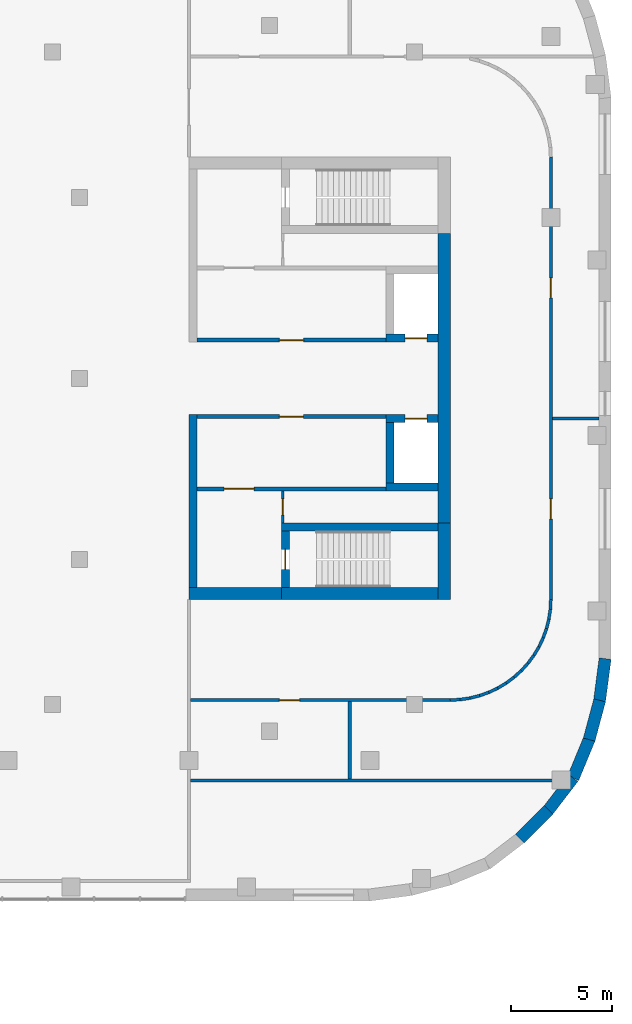
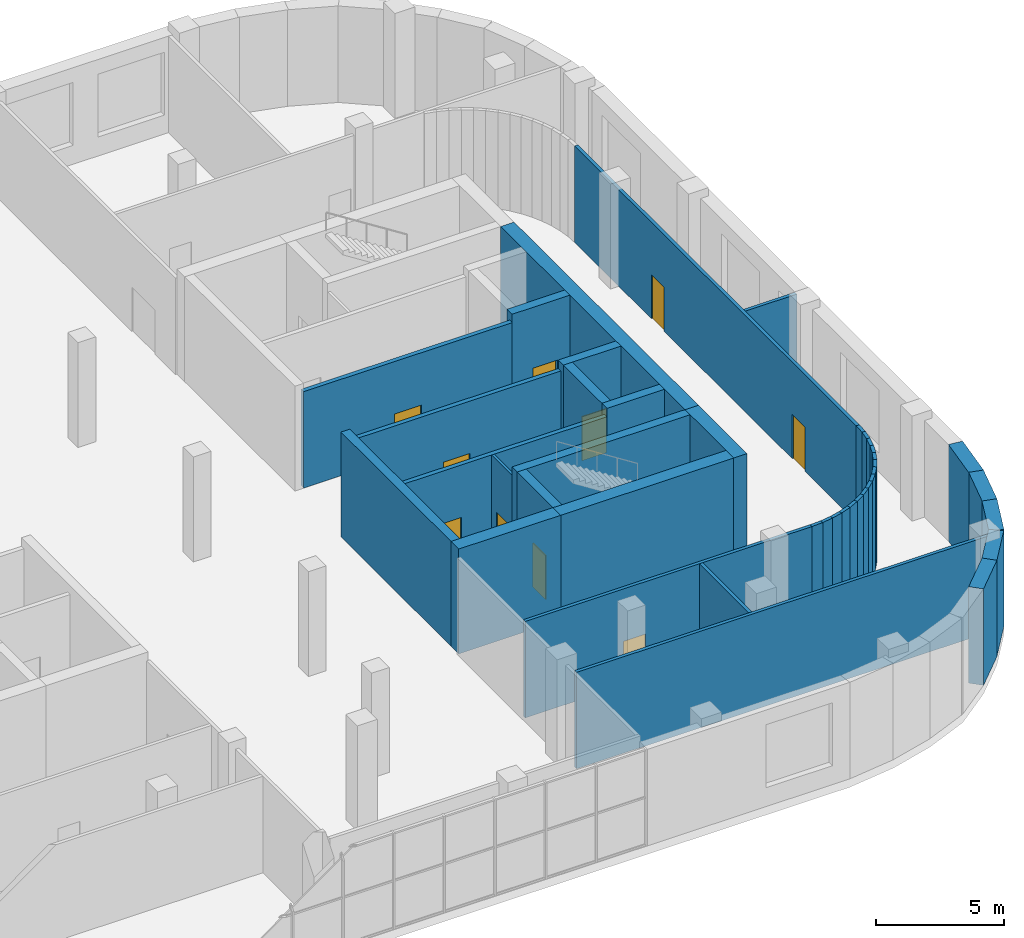
# One storey, part 19 of 24: 41 walls, 10 doors, 10 openings.
"""IFC4 building model written with IfcOpenShell, lengths in metres."""

from ifc_helpers import new_model, si_unit, direction, frame, frame_2d, origin, place, context, subcontext, project, spatial, rectangle, extrude, material, layer, layer_set, type_object, element, fill, save


model = new_model("IFC4")

# Units and contexts
model_context = context("Model", 3, precision=1e-05, world=origin(), true_north=direction((0.0, 1.0)))
body_context = subcontext(model_context, "Body", "Model", "MODEL_VIEW")
ifc_project = project(units=[si_unit("LENGTHUNIT", "METRE"), si_unit("AREAUNIT", "SQUARE_METRE"), si_unit("VOLUMEUNIT", "CUBIC_METRE"), si_unit("PLANEANGLEUNIT", "RADIAN"), si_unit("MASSUNIT", "GRAM", prefix="KILO")], contexts=[model_context])

# Site, building, storey
site_placement = place(None, origin())
site = spatial("IfcSite", under=ifc_project, at=site_placement, CompositionType="ELEMENT")
building_placement = place(site_placement, origin())
building = spatial("IfcBuilding", under=site, at=building_placement, Name="Skarvind Civic Tower", CompositionType="ELEMENT")
storey_placement = place(building_placement, frame((0.0, 0.0, 12.5)))
storey = spatial("IfcBuildingStorey", under=building, at=storey_placement, Name="L02", CompositionType="ELEMENT", Elevation=12.5)

# Wall, opening, door
ifc_material_1 = material(Name="Fire-rated masonry partition", Category="masonry")
ifc_layer_1 = layer(ifc_material_1, 0.199951171875)
ifc_layer_set_1 = layer_set([ifc_layer_1], Name="Core enclosure wall 200")
wall_type_1 = type_object("IfcWallType", Name="Core enclosure wall 200", PredefinedType="PARTITIONING", material=ifc_layer_set_1)
wall_1_placement = place(storey_placement, frame((163.800048828125, 126.10009765625, 0.0), z_axis=(0.0, 0.0, 1.0), x_axis=(-1.0, 0.0, 0.0)))
wall_1 = element("IfcWall", 1, at=wall_1_placement, inside=storey, type_object=wall_type_1, Name="Core wall CB", PredefinedType="PARTITIONING", context=body_context, shape_type="SweptSolid", body=[
    extrude(rectangle(XDim=9.400146484375, YDim=0.199951171875, at=frame_2d((4.7001953125, 0.0))), origin(), (0.0, 0.0, 1.0), 4.60009765625),
])
opening_1_placement = place(wall_1_placement, frame((4.10009765625, 0.0, 0.0)))
opening_1 = element("IfcOpeningElement", 2, at=opening_1_placement, cuts=wall_1, Name="Opening D-L02-CB-03", PredefinedType="OPENING", context=body_context, shape_type="SweptSolid", body=[
    extrude(rectangle(XDim=1.199951171875, YDim=2.10009765625, at=frame_2d((0.60009765625, 1.050048828125))), frame((0.0, 0.10986328125, 0.0), z_axis=(0.0, -1.0, 0.0), x_axis=(1.0, 0.0, 0.0)), (0.0, 0.0, 1.0), 0.219970703125),
])
ifc_material_2 = material(Name="Fire-rated steel door", Category="steel")
door_type_1 = type_object("IfcDoorType", Name="Core lobby door 1200", OperationType="NOTDEFINED", PredefinedType="DOOR", material=ifc_material_2)
door_1_placement = place(opening_1_placement, origin())
door_1 = element("IfcDoor", 3, at=door_1_placement, inside=storey, type_object=door_type_1, Name="Fire door", OperationType="DOUBLE_DOOR_SINGLE_SWING", OverallHeight=2.10009765625, OverallWidth=1.199951171875, PredefinedType="DOOR", context=body_context, shape_type="SweptSolid", body=[
    extrude(rectangle(XDim=1.199951171875, YDim=2.10009765625, at=frame_2d((0.60009765625, 1.050048828125))), frame((0.0, 0.02490234375, 0.0), z_axis=(0.0, -1.0, 0.0), x_axis=(1.0, 0.0, 0.0)), (0.0, 0.0, 1.0), 0.050048828125),
])
fill(opening_1, door_1)

wall_2_placement = place(storey_placement, frame((163.800048828125, 122.5, 0.0), z_axis=(0.0, 0.0, 1.0), x_axis=(-1.0, 0.0, 0.0)))
wall_2 = element("IfcWall", 4, at=wall_2_placement, inside=storey, type_object=wall_type_1, Name="Core wall CB", PredefinedType="PARTITIONING", context=body_context, shape_type="SweptSolid", body=[
    extrude(rectangle(XDim=9.400146484375, YDim=0.199951171875, at=frame_2d((4.7001953125, 0.0))), origin(), (0.0, 0.0, 1.0), 4.60009765625),
])
opening_2_placement = place(wall_2_placement, frame((6.550048828125, 0.0, 0.0)))
opening_2 = element("IfcOpeningElement", 5, at=opening_2_placement, cuts=wall_2, Name="Opening D-L02-CB-04", PredefinedType="OPENING", context=body_context, shape_type="SweptSolid", body=[
    extrude(rectangle(XDim=1.5, YDim=2.10009765625, at=frame_2d((0.75, 1.050048828125))), frame((0.0, 0.10986328125, 0.0), z_axis=(0.0, -1.0, 0.0), x_axis=(1.0, 0.0, 0.0)), (0.0, 0.0, 1.0), 0.219970703125),
])
door_type_2 = type_object("IfcDoorType", Name="Fire door 1500", OperationType="NOTDEFINED", PredefinedType="DOOR", material=ifc_material_2)
door_2_placement = place(opening_2_placement, origin())
door_2 = element("IfcDoor", 6, at=door_2_placement, inside=storey, type_object=door_type_2, Name="Fire door", OperationType="DOUBLE_DOOR_SINGLE_SWING", OverallHeight=2.10009765625, OverallWidth=1.5, PredefinedType="DOOR", context=body_context, shape_type="SweptSolid", body=[
    extrude(rectangle(XDim=1.5, YDim=2.10009765625, at=frame_2d((0.75, 1.050048828125))), frame((0.0, 0.02490234375, 0.0), z_axis=(0.0, -1.0, 0.0), x_axis=(1.0, 0.0, 0.0)), (0.0, 0.0, 1.0), 0.050048828125),
])
fill(opening_2, door_2)

wall_3_placement = place(storey_placement, frame((154.39990234375, 129.89990234375, 0.0), z_axis=(0.0, 0.0, 1.0), x_axis=(1.0, 0.0, 0.0)))
wall_3 = element("IfcWall", 7, at=wall_3_placement, inside=storey, type_object=wall_type_1, Name="Core wall CB", PredefinedType="PARTITIONING", context=body_context, shape_type="SweptSolid", body=[
    extrude(rectangle(XDim=9.400146484375, YDim=0.199951171875, at=frame_2d((4.7001953125, 0.0))), origin(), (0.0, 0.0, 1.0), 4.60009765625),
])
opening_3_placement = place(wall_3_placement, frame((4.10009765625, 0.0, 0.0)))
opening_3 = element("IfcOpeningElement", 8, at=opening_3_placement, cuts=wall_3, Name="Opening D-L02-CB-07", PredefinedType="OPENING", context=body_context, shape_type="SweptSolid", body=[
    extrude(rectangle(XDim=1.199951171875, YDim=2.10009765625, at=frame_2d((0.60009765625, 1.050048828125))), frame((0.0, 0.10986328125, 0.0), z_axis=(0.0, -1.0, 0.0), x_axis=(1.0, 0.0, 0.0)), (0.0, 0.0, 1.0), 0.219970703125),
])
door_3_placement = place(opening_3_placement, origin())
door_3 = element("IfcDoor", 9, at=door_3_placement, inside=storey, type_object=door_type_1, Name="Fire door", OperationType="DOUBLE_DOOR_SINGLE_SWING", OverallHeight=2.10009765625, OverallWidth=1.199951171875, PredefinedType="DOOR", context=body_context, shape_type="SweptSolid", body=[
    extrude(rectangle(XDim=1.199951171875, YDim=2.10009765625, at=frame_2d((0.60009765625, 1.050048828125))), frame((0.0, 0.02490234375, 0.0), z_axis=(0.0, -1.0, 0.0), x_axis=(1.0, 0.0, 0.0)), (0.0, 0.0, 1.0), 0.050048828125),
])
fill(opening_3, door_3)

# Wall
ifc_material_3 = material(Name="Concrete C80", Category="concrete")
ifc_layer_2 = layer(ifc_material_3, 0.39990234375)
ifc_layer_set_2 = layer_set([ifc_layer_2], Name="Core wall 400 C80")
wall_type_2 = type_object("IfcWallType", Name="Core wall 400 C80", PredefinedType="SHEAR", material=ifc_layer_set_2)
wall_4_placement = place(storey_placement, frame((166.39990234375, 120.60009765625, 0.0), z_axis=(0.0, 0.0, 1.0), x_axis=(-1.0, 0.0, 0.0)))
element("IfcWall", 10, at=wall_4_placement, inside=storey, type_object=wall_type_2, Name="Core wall CB north stair inner L02", PredefinedType="SHEAR", context=body_context, shape_type="SweptSolid", body=[
    extrude(rectangle(XDim=7.7998046875, YDim=0.39990234375, at=frame_2d((3.89990234375, 0.0))), origin(), (0.0, 0.0, 1.0), 5.0),
])

# Wall, opening, door
wall_5_placement = place(storey_placement, frame((158.800048828125, 120.39990234375, 0.0), z_axis=(0.0, 0.0, 1.0), x_axis=(0.0, -1.0, 0.0)))
wall_5 = element("IfcWall", 11, at=wall_5_placement, inside=storey, type_object=wall_type_2, Name="Core wall CB north stair end L02", PredefinedType="SHEAR", context=body_context, shape_type="SweptSolid", body=[
    extrude(rectangle(XDim=2.7998046875, YDim=0.39990234375, at=frame_2d((1.39990234375, 0.0))), origin(), (0.0, 0.0, 1.0), 5.0),
])
opening_4_placement = place(wall_5_placement, frame((0.89990234375, 0.0, 0.0)))
opening_4 = element("IfcOpeningElement", 12, at=opening_4_placement, cuts=wall_5, Name="Opening D-L02-CB-05", PredefinedType="OPENING", context=body_context, shape_type="SweptSolid", body=[
    extrude(rectangle(XDim=1.0, YDim=2.10009765625, at=frame_2d((0.5, 1.050048828125))), frame((0.0, 0.2099609375, 0.0), z_axis=(0.0, -1.0, 0.0), x_axis=(1.0, 0.0, 0.0)), (0.0, 0.0, 1.0), 0.419921875),
])
door_type_3 = type_object("IfcDoorType", Name="Fire door 1000", OperationType="NOTDEFINED", PredefinedType="DOOR", material=ifc_material_2)
door_4_placement = place(opening_4_placement, origin())
door_4 = element("IfcDoor", 13, at=door_4_placement, inside=storey, type_object=door_type_3, Name="Fire door", OperationType="SINGLE_SWING_LEFT", OverallHeight=2.10009765625, OverallWidth=1.0, PredefinedType="DOOR", context=body_context, shape_type="SweptSolid", body=[
    extrude(rectangle(XDim=1.0, YDim=2.10009765625, at=frame_2d((0.5, 1.050048828125))), frame((0.0, 0.02490234375, 0.0), z_axis=(0.0, -1.0, 0.0), x_axis=(1.0, 0.0, 0.0)), (0.0, 0.0, 1.0), 0.050048828125),
])
fill(opening_4, door_4)

wall_6_placement = place(storey_placement, frame((166.39990234375, 130.0, 0.0), z_axis=(0.0, 0.0, 1.0), x_axis=(-1.0, 0.0, 0.0)))
wall_6 = element("IfcWall", 14, at=wall_6_placement, inside=storey, type_object=wall_type_2, Name="Core wall CB south lift row front L02", PredefinedType="SHEAR", context=body_context, shape_type="SweptSolid", body=[
    extrude(rectangle(XDim=2.599853515625, YDim=0.39990234375, at=frame_2d((1.2998046875, 0.0))), origin(), (0.0, 0.0, 1.0), 5.0),
])
opening_5_placement = place(wall_6_placement, frame((0.550048828125, 0.0, 0.0)))
opening_5 = element("IfcOpeningElement", 15, at=opening_5_placement, cuts=wall_6, Name="Opening LD04402", PredefinedType="OPENING", context=body_context, shape_type="SweptSolid", body=[
    extrude(rectangle(XDim=1.10009765625, YDim=2.10009765625, at=frame_2d((0.550048828125, 1.050048828125))), frame((0.0, 0.2099609375, 0.0), z_axis=(0.0, -1.0, 0.0), x_axis=(1.0, 0.0, 0.0)), (0.0, 0.0, 1.0), 0.419921875),
])
ifc_material_4 = material(Name="Stainless steel landing door", Category="steel")
door_type_4 = type_object("IfcDoorType", Name="Lift landing door 1100", OperationType="DOUBLE_DOOR_SLIDING", PredefinedType="DOOR", material=ifc_material_4)
door_5_placement = place(opening_5_placement, origin())
door_5 = element("IfcDoor", 16, at=door_5_placement, inside=storey, type_object=door_type_4, Name="Lift landing door", OperationType="DOUBLE_DOOR_SLIDING", OverallHeight=2.10009765625, OverallWidth=1.10009765625, PredefinedType="DOOR", context=body_context, shape_type="SweptSolid", body=[
    extrude(rectangle(XDim=1.10009765625, YDim=2.10009765625, at=frame_2d((0.550048828125, 1.050048828125))), frame((0.0, 0.02490234375, 0.0), z_axis=(0.0, -1.0, 0.0), x_axis=(1.0, 0.0, 0.0)), (0.0, 0.0, 1.0), 0.050048828125),
])
fill(opening_5, door_5)

wall_7_placement = place(storey_placement, frame((166.39990234375, 126.0, 0.0), z_axis=(0.0, 0.0, 1.0), x_axis=(-1.0, 0.0, 0.0)))
wall_7 = element("IfcWall", 17, at=wall_7_placement, inside=storey, type_object=wall_type_2, Name="Core wall CB north lift row front L02", PredefinedType="SHEAR", context=body_context, shape_type="SweptSolid", body=[
    extrude(rectangle(XDim=2.599853515625, YDim=0.39990234375, at=frame_2d((1.2998046875, 0.0))), origin(), (0.0, 0.0, 1.0), 5.0),
])
opening_6_placement = place(wall_7_placement, frame((0.550048828125, 0.0, 0.0)))
opening_6 = element("IfcOpeningElement", 18, at=opening_6_placement, cuts=wall_7, Name="Opening LD04401", PredefinedType="OPENING", context=body_context, shape_type="SweptSolid", body=[
    extrude(rectangle(XDim=1.10009765625, YDim=2.10009765625, at=frame_2d((0.550048828125, 1.050048828125))), frame((0.0, 0.2099609375, 0.0), z_axis=(0.0, -1.0, 0.0), x_axis=(1.0, 0.0, 0.0)), (0.0, 0.0, 1.0), 0.419921875),
])
door_6_placement = place(opening_6_placement, origin())
door_6 = element("IfcDoor", 19, at=door_6_placement, inside=storey, type_object=door_type_4, Name="Lift landing door", OperationType="DOUBLE_DOOR_SLIDING", OverallHeight=2.10009765625, OverallWidth=1.10009765625, PredefinedType="DOOR", context=body_context, shape_type="SweptSolid", body=[
    extrude(rectangle(XDim=1.10009765625, YDim=2.10009765625, at=frame_2d((0.550048828125, 1.050048828125))), frame((0.0, 0.02490234375, 0.0), z_axis=(0.0, -1.0, 0.0), x_axis=(1.0, 0.0, 0.0)), (0.0, 0.0, 1.0), 0.050048828125),
])
fill(opening_6, door_6)

# Walls
wall_8_placement = place(storey_placement, frame((166.39990234375, 122.60009765625, 0.0), z_axis=(0.0, 0.0, 1.0), x_axis=(-1.0, 0.0, 0.0)))
element("IfcWall", 20, at=wall_8_placement, inside=storey, type_object=wall_type_2, Name="Core wall CB north lift row back L02", PredefinedType="SHEAR", context=body_context, shape_type="SweptSolid", body=[
    extrude(rectangle(XDim=2.599853515625, YDim=0.39990234375, at=frame_2d((1.2998046875, 0.0))), origin(), (0.0, 0.0, 1.0), 5.0),
])
wall_9_placement = place(storey_placement, frame((164.0, 125.800048828125, 0.0), z_axis=(0.0, 0.0, 1.0), x_axis=(0.0, -1.0, 0.0)))
element("IfcWall", 21, at=wall_9_placement, inside=storey, type_object=wall_type_2, Name="Core wall CB north lift row division 1 L02", PredefinedType="SHEAR", context=body_context, shape_type="SweptSolid", body=[
    extrude(rectangle(XDim=3.0, YDim=0.39990234375, at=frame_2d((1.5, 0.0))), origin(), (0.0, 0.0, 1.0), 5.0),
])
wall_10_placement = place(storey_placement, frame((154.199951171875, 126.199951171875, 0.0), z_axis=(0.0, 0.0, 1.0), x_axis=(0.0, -1.0, 0.0)))
element("IfcWall", 22, at=wall_10_placement, inside=storey, type_object=wall_type_2, Name="Core wall CB north inner face L02", PredefinedType="SHEAR", context=body_context, shape_type="SweptSolid", body=[
    extrude(rectangle(XDim=8.599853515625, YDim=0.39990234375, at=frame_2d((4.2998046875, 0.0))), origin(), (0.0, 0.0, 1.0), 5.0),
])
ifc_layer_3 = layer(ifc_material_3, 0.60009765625)
ifc_layer_set_3 = layer_set([ifc_layer_3], Name="Core wall 600 C80")
wall_type_3 = type_object("IfcWallType", Name="Core wall 600 C80", PredefinedType="SHEAR", material=ifc_layer_set_3)
wall_11_placement = place(storey_placement, frame((166.699951171875, 135.199951171875, 0.0), z_axis=(0.0, 0.0, 1.0), x_axis=(0.0, -1.0, 0.0)))
element("IfcWall", 23, at=wall_11_placement, inside=storey, type_object=wall_type_3, Name="Core wall CB tip between the stairs L02", PredefinedType="SHEAR", context=body_context, shape_type="SweptSolid", body=[
    extrude(rectangle(XDim=14.39990234375, YDim=0.60009765625, at=frame_2d((7.199951171875, 0.0))), origin(), (0.0, 0.0, 1.0), 5.0),
])
wall_12_placement = place(storey_placement, frame((166.699951171875, 120.800048828125, 0.0), z_axis=(0.0, 0.0, 1.0), x_axis=(0.0, -1.0, 0.0)))
element("IfcWall", 24, at=wall_12_placement, inside=storey, type_object=wall_type_3, Name="Core wall CB tip at the north stair L02", PredefinedType="SHEAR", context=body_context, shape_type="SweptSolid", body=[
    extrude(rectangle(XDim=3.800048828125, YDim=0.60009765625, at=frame_2d((1.89990234375, 0.0))), origin(), (0.0, 0.0, 1.0), 5.0),
])
wall_13_placement = place(storey_placement, frame((166.39990234375, 117.300048828125, 0.0), z_axis=(0.0, 0.0, 1.0), x_axis=(-1.0, 0.0, 0.0)))
element("IfcWall", 25, at=wall_13_placement, inside=storey, type_object=wall_type_3, Name="Core wall CB north side at the stair L02", PredefinedType="SHEAR", context=body_context, shape_type="SweptSolid", body=[
    extrude(rectangle(XDim=7.7998046875, YDim=0.60009765625, at=frame_2d((3.89990234375, 0.0))), origin(), (0.0, 0.0, 1.0), 5.0),
])
wall_14_placement = place(storey_placement, frame((158.60009765625, 117.300048828125, 0.0), z_axis=(0.0, 0.0, 1.0), x_axis=(-1.0, 0.0, 0.0)))
element("IfcWall", 26, at=wall_14_placement, inside=storey, type_object=wall_type_3, Name="Core wall CB north side L02", PredefinedType="SHEAR", context=body_context, shape_type="SweptSolid", body=[
    extrude(rectangle(XDim=4.60009765625, YDim=0.60009765625, at=frame_2d((2.300048828125, 0.0))), origin(), (0.0, 0.0, 1.0), 5.0),
])
ifc_material_5 = material(Name="Plasterboard partition on steel studs", Category="steel")
ifc_layer_4 = layer(ifc_material_5, 0.14990234375)
ifc_layer_set_4 = layer_set([ifc_layer_4], Name="PARTITION 150")
wall_type_4 = type_object("IfcWallType", Name="PARTITION 150", PredefinedType="PARTITIONING", material=ifc_layer_set_4)
wall_15_placement = place(storey_placement, frame((154.074951171875, 108.0, 0.0), z_axis=(0.0, 0.0, 1.0), x_axis=(1.0, 0.0, 0.0)))
element("IfcWall", 27, at=wall_15_placement, inside=storey, type_object=wall_type_4, Name="Podium partition L02 270", PredefinedType="PARTITIONING", context=body_context, shape_type="SweptSolid", body=[
    extrude(rectangle(XDim=18.55712890625, YDim=0.14990234375, at=frame_2d((9.278564453125, 0.0))), origin(), (0.0, 0.0, 1.0), 4.60009765625),
])

# Wall, opening, door
wall_16_placement = place(storey_placement, frame((167.001953125, 112.0, 0.0), z_axis=(0.0, 0.0, 1.0), x_axis=(-1.0, 0.0, 0.0)))
wall_16 = element("IfcWall", 28, at=wall_16_placement, inside=storey, type_object=wall_type_4, Name="Podium partition L02 271", PredefinedType="PARTITIONING", context=body_context, shape_type="SweptSolid", body=[
    extrude(rectangle(XDim=12.927001953125, YDim=0.14990234375, at=frame_2d((6.46337890625, 0.0))), origin(), (0.0, 0.0, 1.0), 4.60009765625),
])
opening_7_placement = place(wall_16_placement, frame((7.5, 0.0, 0.0)))
opening_7 = element("IfcOpeningElement", 29, at=opening_7_placement, cuts=wall_16, Name="Opening L02-D238", PredefinedType="OPENING", context=body_context, shape_type="SweptSolid", body=[
    extrude(rectangle(XDim=1.0, YDim=2.10009765625, at=frame_2d((0.5, 1.050048828125))), frame((0.0, 0.0849609375, 0.0), z_axis=(0.0, -1.0, 0.0), x_axis=(1.0, 0.0, 0.0)), (0.0, 0.0, 1.0), 0.169921875),
])
ifc_material_6 = material(Name="Timber veneer door leaf", Category="wood")
door_type_5 = type_object("IfcDoorType", Name="DOOR 1000X2100 TIMBER", OperationType="NOTDEFINED", PredefinedType="DOOR", material=ifc_material_6)
door_7_placement = place(opening_7_placement, origin())
door_7 = element("IfcDoor", 30, at=door_7_placement, inside=storey, type_object=door_type_5, Name="DOOR DOOR", OperationType="SINGLE_SWING_LEFT", OverallHeight=2.10009765625, OverallWidth=1.0, PredefinedType="DOOR", context=body_context, shape_type="SweptSolid", body=[
    extrude(rectangle(XDim=1.0, YDim=2.10009765625, at=frame_2d((0.5, 1.050048828125))), frame((0.0, 0.02490234375, 0.0), z_axis=(0.0, -1.0, 0.0), x_axis=(1.0, 0.0, 0.0)), (0.0, 0.0, 1.0), 0.050048828125),
])
fill(opening_7, door_7)

# Walls
wall_17_placement = place(storey_placement, frame((162.0, 108.074951171875, 0.0), z_axis=(0.0, 0.0, 1.0), x_axis=(0.0, 1.0, 0.0)))
element("IfcWall", 31, at=wall_17_placement, inside=storey, type_object=wall_type_4, Name="Podium partition L02 274", PredefinedType="PARTITIONING", context=body_context, shape_type="SweptSolid", body=[
    extrude(rectangle(XDim=3.85009765625, YDim=0.14990234375, at=frame_2d((1.925048828125, 0.0))), origin(), (0.0, 0.0, 1.0), 4.60009765625),
])
wall_18_placement = place(storey_placement, frame((166.998046875, 112.0, 0.0), z_axis=(0.0, 0.0, 1.0), x_axis=(0.998837896651, 0.048196018647, 0.0)))
element("IfcWall", 32, at=wall_18_placement, inside=storey, type_object=wall_type_4, Name="Podium partition L02 276", PredefinedType="PARTITIONING", context=body_context, shape_type="SweptSolid", body=[
    extrude(rectangle(XDim=0.496337890625, YDim=0.14990234375, at=frame_2d((0.248046875, 0.0))), origin(), (0.0, 0.0, 1.0), 4.60009765625),
])
wall_19_placement = place(storey_placement, frame((167.486083984375, 112.02294921875, 0.0), z_axis=(0.0, 0.0, 1.0), x_axis=(0.988925572052, 0.148412307247, 0.0)))
element("IfcWall", 33, at=wall_19_placement, inside=storey, type_object=wall_type_4, Name="Podium partition L02 279", PredefinedType="PARTITIONING", context=body_context, shape_type="SweptSolid", body=[
    extrude(rectangle(XDim=0.49853515625, YDim=0.14990234375, at=frame_2d((0.249267578125, 0.0))), origin(), (0.0, 0.0, 1.0), 4.60009765625),
])
wall_20_placement = place(storey_placement, frame((167.970947265625, 112.094970703125, 0.0), z_axis=(0.0, 0.0, 1.0), x_axis=(0.970113715952, 0.242650732785, 0.0)))
element("IfcWall", 34, at=wall_20_placement, inside=storey, type_object=wall_type_4, Name="Podium partition L02 281", PredefinedType="PARTITIONING", context=body_context, shape_type="SweptSolid", body=[
    extrude(rectangle(XDim=0.4990234375, YDim=0.14990234375, at=frame_2d((0.24951171875, 0.0))), origin(), (0.0, 0.0, 1.0), 4.60009765625),
])
for number, where, z_axis, x_axis, name in (
    (35, (168.447021484375, 112.214111328125, 0.0), (0.0, 0.0, 1.0), (0.941442168887, 0.3371744988, 0.0), "Podium partition L02 283"),
    (36, (168.909912109375, 112.37890625, 0.0), (0.0, 0.0, 1.0), (0.903827641978, 0.427896709028, 0.0), "Podium partition L02 285"),
):
    element("IfcWall", number, at=place(storey_placement, frame(where, z_axis=z_axis, x_axis=x_axis)), inside=storey, type_object=wall_type_4, Name=name, PredefinedType="PARTITIONING", context=body_context, shape_type="SweptSolid", body=[
        extrude(rectangle(XDim=0.498046875, YDim=0.14990234375, at=frame_2d((0.2490234375, 0.0))), origin(), (0.0, 0.0, 1.0), 4.60009765625),
    ])
wall_21_placement = place(storey_placement, frame((169.35400390625, 112.587890625, 0.0), z_axis=(0.0, 0.0, 1.0), x_axis=(0.85671397893, 0.515791778052, 0.0)))
element("IfcWall", 37, at=wall_21_placement, inside=storey, type_object=wall_type_4, Name="Podium partition L02 287", PredefinedType="PARTITIONING", context=body_context, shape_type="SweptSolid", body=[
    extrude(rectangle(XDim=0.49853515625, YDim=0.14990234375, at=frame_2d((0.249267578125, 0.0))), origin(), (0.0, 0.0, 1.0), 4.60009765625),
])
wall_22_placement = place(storey_placement, frame((169.77490234375, 112.841064453125, 0.0), z_axis=(0.0, 0.0, 1.0), x_axis=(0.80404358372, 0.594570362092, 0.0)))
element("IfcWall", 38, at=wall_22_placement, inside=storey, type_object=wall_type_4, Name="Podium partition L02 289", PredefinedType="PARTITIONING", context=body_context, shape_type="SweptSolid", body=[
    extrude(rectangle(XDim=0.49755859375, YDim=0.14990234375, at=frame_2d((0.248779296875, 0.0))), origin(), (0.0, 0.0, 1.0), 4.60009765625),
])
for number, where, z_axis, x_axis, name in (
    (39, (170.1689453125, 113.133056640625, 0.0), (0.0, 0.0, 1.0), (0.742416880587, 0.66993818776, 0.0), "Podium partition L02 291"),
    (40, (170.532958984375, 113.4609375, 0.0), (0.0, 0.0, 1.0), (0.66993818776, 0.742416880587, 0.0), "Podium partition L02 293"),
):
    element("IfcWall", number, at=place(storey_placement, frame(where, z_axis=z_axis, x_axis=x_axis)), inside=storey, type_object=wall_type_4, Name=name, PredefinedType="PARTITIONING", context=body_context, shape_type="SweptSolid", body=[
        extrude(rectangle(XDim=0.49853515625, YDim=0.14990234375, at=frame_2d((0.249267578125, 0.0))), origin(), (0.0, 0.0, 1.0), 4.60009765625),
    ])
wall_23_placement = place(storey_placement, frame((170.863037109375, 113.824951171875, 0.0), z_axis=(0.0, 0.0, 1.0), x_axis=(0.594570362092, 0.80404358372, 0.0)))
element("IfcWall", 41, at=wall_23_placement, inside=storey, type_object=wall_type_4, Name="Podium partition L02 295", PredefinedType="PARTITIONING", context=body_context, shape_type="SweptSolid", body=[
    extrude(rectangle(XDim=0.49755859375, YDim=0.14990234375, at=frame_2d((0.248779296875, 0.0))), origin(), (0.0, 0.0, 1.0), 4.60009765625),
])
wall_24_placement = place(storey_placement, frame((171.155029296875, 114.218994140625, 0.0), z_axis=(0.0, 0.0, 1.0), x_axis=(0.515791778052, 0.85671397893, 0.0)))
element("IfcWall", 42, at=wall_24_placement, inside=storey, type_object=wall_type_4, Name="Podium partition L02 297", PredefinedType="PARTITIONING", context=body_context, shape_type="SweptSolid", body=[
    extrude(rectangle(XDim=0.49853515625, YDim=0.14990234375, at=frame_2d((0.249267578125, 0.0))), origin(), (0.0, 0.0, 1.0), 4.60009765625),
])
for number, where, z_axis, x_axis, name in (
    (43, (171.407958984375, 114.639892578125, 0.0), (0.0, 0.0, 1.0), (0.427896709028, 0.903827641978, 0.0), "Podium partition L02 299"),
    (44, (171.617919921875, 115.083984375, 0.0), (0.0, 0.0, 1.0), (0.3371744988, 0.941442168887, 0.0), "Podium partition L02 301"),
):
    element("IfcWall", number, at=place(storey_placement, frame(where, z_axis=z_axis, x_axis=x_axis)), inside=storey, type_object=wall_type_4, Name=name, PredefinedType="PARTITIONING", context=body_context, shape_type="SweptSolid", body=[
        extrude(rectangle(XDim=0.498046875, YDim=0.14990234375, at=frame_2d((0.2490234375, 0.0))), origin(), (0.0, 0.0, 1.0), 4.60009765625),
    ])
wall_25_placement = place(storey_placement, frame((171.783935546875, 115.544921875, 0.0), z_axis=(0.0, 0.0, 1.0), x_axis=(0.242650732785, 0.970113715952, 0.0)))
element("IfcWall", 45, at=wall_25_placement, inside=storey, type_object=wall_type_4, Name="Podium partition L02 303", PredefinedType="PARTITIONING", context=body_context, shape_type="SweptSolid", body=[
    extrude(rectangle(XDim=0.4990234375, YDim=0.14990234375, at=frame_2d((0.24951171875, 0.0))), origin(), (0.0, 0.0, 1.0), 4.60009765625),
])
wall_26_placement = place(storey_placement, frame((171.903076171875, 116.02099609375, 0.0), z_axis=(0.0, 0.0, 1.0), x_axis=(0.148412307247, 0.988925572052, 0.0)))
element("IfcWall", 46, at=wall_26_placement, inside=storey, type_object=wall_type_4, Name="Podium partition L02 305", PredefinedType="PARTITIONING", context=body_context, shape_type="SweptSolid", body=[
    extrude(rectangle(XDim=0.49853515625, YDim=0.14990234375, at=frame_2d((0.249267578125, 0.0))), origin(), (0.0, 0.0, 1.0), 4.60009765625),
])
wall_27_placement = place(storey_placement, frame((171.97607421875, 116.506103515625, 0.0), z_axis=(0.0, 0.0, 1.0), x_axis=(0.048196018647, 0.998837896651, 0.0)))
element("IfcWall", 47, at=wall_27_placement, inside=storey, type_object=wall_type_4, Name="Podium partition L02 307", PredefinedType="PARTITIONING", context=body_context, shape_type="SweptSolid", body=[
    extrude(rectangle(XDim=0.496337890625, YDim=0.14990234375, at=frame_2d((0.248046875, 0.0))), origin(), (0.0, 0.0, 1.0), 4.60009765625),
])

# Wall, openings, doors
wall_28_placement = place(storey_placement, frame((172.0, 139.001953125, 0.0), z_axis=(0.0, 0.0, 1.0), x_axis=(0.0, -1.0, 0.0)))
wall_28 = element("IfcWall", 48, at=wall_28_placement, inside=storey, type_object=wall_type_4, Name="Podium partition L02 309", PredefinedType="PARTITIONING", context=body_context, shape_type="SweptSolid", body=[
    extrude(rectangle(XDim=22.00390625, YDim=0.14990234375, at=frame_2d((11.001953125, 0.0))), origin(), (0.0, 0.0, 1.0), 4.60009765625),
])
opening_8_placement = place(wall_28_placement, frame((17.0, 0.0, 0.0)))
opening_8 = element("IfcOpeningElement", 49, at=opening_8_placement, cuts=wall_28, Name="Opening L02-D240", PredefinedType="OPENING", context=body_context, shape_type="SweptSolid", body=[
    extrude(rectangle(XDim=1.0, YDim=2.10009765625, at=frame_2d((0.5, 1.050048828125))), frame((0.0, 0.0849609375, 0.0), z_axis=(0.0, -1.0, 0.0), x_axis=(1.0, 0.0, 0.0)), (0.0, 0.0, 1.0), 0.169921875),
])
opening_9_placement = place(wall_28_placement, frame((6.00390625, 0.0, 0.0)))
opening_9 = element("IfcOpeningElement", 50, at=opening_9_placement, cuts=wall_28, Name="Opening L02-D241", PredefinedType="OPENING", context=body_context, shape_type="SweptSolid", body=[
    extrude(rectangle(XDim=1.0, YDim=2.10009765625, at=frame_2d((0.5, 1.050048828125))), frame((0.0, 0.0849609375, 0.0), z_axis=(0.0, -1.0, 0.0), x_axis=(1.0, 0.0, 0.0)), (0.0, 0.0, 1.0), 0.169921875),
])
door_8_placement = place(opening_8_placement, origin())
door_8 = element("IfcDoor", 51, at=door_8_placement, inside=storey, type_object=door_type_5, Name="DOOR DOOR", OperationType="SINGLE_SWING_LEFT", OverallHeight=2.10009765625, OverallWidth=1.0, PredefinedType="DOOR", context=body_context, shape_type="SweptSolid", body=[
    extrude(rectangle(XDim=1.0, YDim=2.10009765625, at=frame_2d((0.5, 1.050048828125))), frame((0.0, 0.02490234375, 0.0), z_axis=(0.0, -1.0, 0.0), x_axis=(1.0, 0.0, 0.0)), (0.0, 0.0, 1.0), 0.050048828125),
])
fill(opening_8, door_8)
door_9_placement = place(opening_9_placement, origin())
door_9 = element("IfcDoor", 52, at=door_9_placement, inside=storey, type_object=door_type_5, Name="DOOR DOOR", OperationType="SINGLE_SWING_RIGHT", OverallHeight=2.10009765625, OverallWidth=1.0, PredefinedType="DOOR", context=body_context, shape_type="SweptSolid", body=[
    extrude(rectangle(XDim=1.0, YDim=2.10009765625, at=frame_2d((0.5, 1.050048828125))), frame((0.0, 0.02490234375, 0.0), z_axis=(0.0, -1.0, 0.0), x_axis=(1.0, 0.0, 0.0)), (0.0, 0.0, 1.0), 0.050048828125),
])
fill(opening_9, door_9)

# Wall
wall_29_placement = place(storey_placement, frame((172.074951171875, 126.0, 0.0), z_axis=(0.0, 0.0, 1.0), x_axis=(1.0, 0.0, 0.0)))
element("IfcWall", 53, at=wall_29_placement, inside=storey, type_object=wall_type_4, Name="Podium partition L02 310", PredefinedType="PARTITIONING", context=body_context, shape_type="SweptSolid", body=[
    extrude(rectangle(XDim=2.324951171875, YDim=0.14990234375, at=frame_2d((1.16259765625, 0.0))), origin(), (0.0, 0.0, 1.0), 4.60009765625),
])

# Wall, opening, door
ifc_layer_5 = layer(ifc_material_1, 0.125)
ifc_layer_set_5 = layer_set([ifc_layer_5], Name="Riser wall 125")
wall_type_5 = type_object("IfcWallType", Name="Riser wall 125", PredefinedType="PARTITIONING", material=ifc_layer_set_5)
wall_30_placement = place(storey_placement, frame((158.66259765625, 120.800048828125, 0.0), z_axis=(0.0, 0.0, 1.0), x_axis=(0.0, 1.0, 0.0)))
wall_30 = element("IfcWall", 54, at=wall_30_placement, inside=storey, type_object=wall_type_5, Name="Core wall CB", PredefinedType="PARTITIONING", context=body_context, shape_type="SweptSolid", body=[
    extrude(rectangle(XDim=1.599853515625, YDim=0.125, at=frame_2d((0.7998046875, 0.0))), origin(), (0.0, 0.0, 1.0), 4.60009765625),
])
opening_10_placement = place(wall_30_placement, frame((0.39990234375, 0.0, 0.0)))
opening_10 = element("IfcOpeningElement", 55, at=opening_10_placement, cuts=wall_30, Name="Opening D-L02-CB-06", PredefinedType="OPENING", context=body_context, shape_type="SweptSolid", body=[
    extrude(rectangle(XDim=0.800048828125, YDim=2.10009765625, at=frame_2d((0.39990234375, 1.050048828125))), frame((0.0, 0.072509765625, 0.0), z_axis=(0.0, -1.0, 0.0), x_axis=(1.0, 0.0, 0.0)), (0.0, 0.0, 1.0), 0.14501953125),
])
door_type_6 = type_object("IfcDoorType", Name="Core riser door 800", OperationType="NOTDEFINED", PredefinedType="DOOR", material=ifc_material_2)
door_10_placement = place(opening_10_placement, origin())
door_10 = element("IfcDoor", 56, at=door_10_placement, inside=storey, type_object=door_type_6, Name="Riser door", OperationType="SINGLE_SWING_RIGHT", OverallHeight=2.10009765625, OverallWidth=0.800048828125, PredefinedType="DOOR", context=body_context, shape_type="SweptSolid", body=[
    extrude(rectangle(XDim=0.800048828125, YDim=2.10009765625, at=frame_2d((0.39990234375, 1.050048828125))), frame((0.0, 0.02490234375, 0.0), z_axis=(0.0, -1.0, 0.0), x_axis=(1.0, 0.0, 0.0)), (0.0, 0.0, 1.0), 0.050048828125),
])
fill(opening_10, door_10)

# Walls
ifc_material_7 = material(Name="Limestone masonry cladding on insulated backing", Category="masonry")
ifc_layer_6 = layer(ifc_material_7, 0.60009765625)
ifc_layer_set_6 = layer_set([ifc_layer_6], Name="WX1 STONE FACADE WALL 600")
wall_type_6 = type_object("IfcWallType", Name="WX1 STONE FACADE WALL 600", PredefinedType="SOLIDWALL", material=ifc_layer_set_6)
wall_31_placement = place(storey_placement, frame((171.890380859375, 106.536865234375, 0.0), z_axis=(0.0, 0.0, 1.0), x_axis=(-0.707106781187, -0.707106781187, 0.0)))
element("IfcWall", 57, at=wall_31_placement, inside=storey, type_object=wall_type_6, Name="STONE FACADE WALL", PredefinedType="SOLIDWALL", context=body_context, shape_type="SweptSolid", body=[
    extrude(rectangle(XDim=2.018310546875, YDim=0.60009765625, at=frame_2d((1.00927734375, 0.0))), origin(), (0.0, 0.0, 1.0), 4.60009765625),
])
wall_32_placement = place(storey_placement, frame((173.109375, 108.12841796875, 0.0), z_axis=(0.0, 0.0, 1.0), x_axis=(-0.609058260448, -0.793125485267, 0.0)))
element("IfcWall", 58, at=wall_32_placement, inside=storey, type_object=wall_type_6, Name="STONE FACADE WALL", PredefinedType="SOLIDWALL", context=body_context, shape_type="SweptSolid", body=[
    extrude(rectangle(XDim=2.0439453125, YDim=0.60009765625, at=frame_2d((1.02197265625, 0.0))), origin(), (0.0, 0.0, 1.0), 4.60009765625),
])
wall_33_placement = place(storey_placement, frame((173.921142578125, 110.0693359375, 0.0), z_axis=(0.0, 0.0, 1.0), x_axis=(-0.382375593358, -0.924006983526, 0.0)))
element("IfcWall", 59, at=wall_33_placement, inside=storey, type_object=wall_type_6, Name="STONE FACADE WALL", PredefinedType="SOLIDWALL", context=body_context, shape_type="SweptSolid", body=[
    extrude(rectangle(XDim=2.114013671875, YDim=0.60009765625, at=frame_2d((1.05712890625, 0.0))), origin(), (0.0, 0.0, 1.0), 4.60009765625),
])
wall_34_placement = place(storey_placement, frame((174.431884765625, 111.986083984375, 0.0), z_axis=(0.0, 0.0, 1.0), x_axis=(-0.258804467146, -0.965929732323, 0.0)))
element("IfcWall", 60, at=wall_34_placement, inside=storey, type_object=wall_type_6, Name="STONE FACADE WALL", PredefinedType="SOLIDWALL", context=body_context, shape_type="SweptSolid", body=[
    extrude(rectangle(XDim=2.0224609375, YDim=0.60009765625, at=frame_2d((1.01123046875, 0.0))), origin(), (0.0, 0.0, 1.0), 4.60009765625),
])
wall_35_placement = place(storey_placement, frame((174.70263671875, 114.06103515625, 0.0), z_axis=(0.0, 0.0, 1.0), x_axis=(-0.130558200013, -0.991440646942, 0.0)))
element("IfcWall", 61, at=wall_35_placement, inside=storey, type_object=wall_type_6, Name="STONE FACADE WALL", PredefinedType="SOLIDWALL", context=body_context, shape_type="SweptSolid", body=[
    extrude(rectangle(XDim=2.1318359375, YDim=0.60009765625, at=frame_2d((1.06591796875, 0.0))), origin(), (0.0, 0.0, 1.0), 4.60009765625),
])

save(model, "model.ifc")
